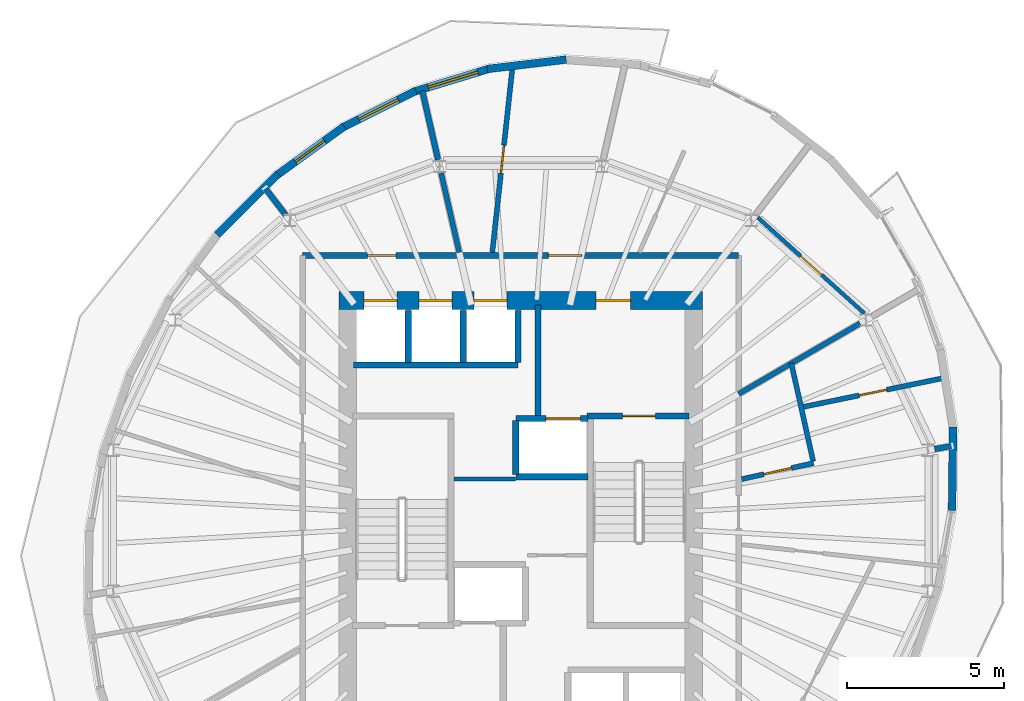
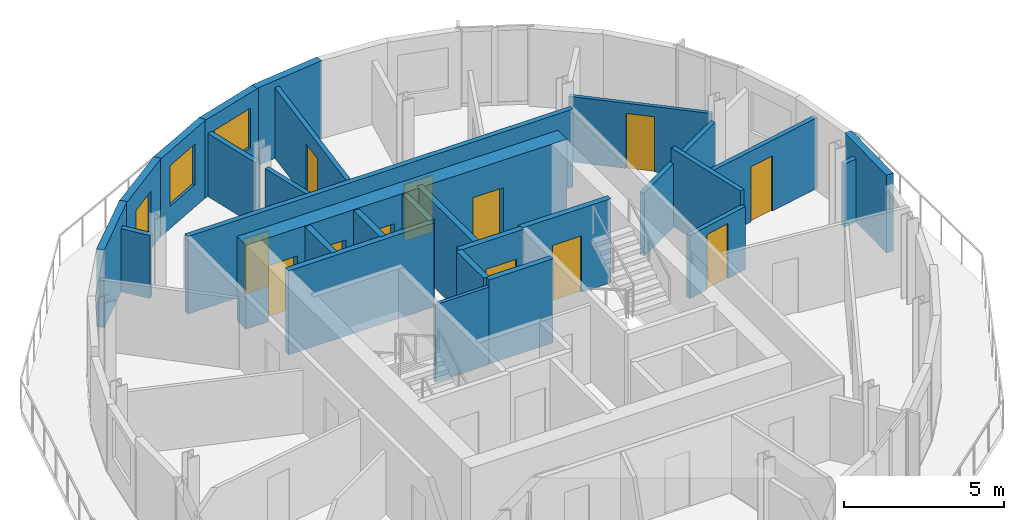
# One storey, part 6 of 9: 28 walls, 13 doors, 2 windows, 15 openings.
"""IFC4 building model written with IfcOpenShell, lengths in metres."""

import ifcopenshell
import ifcopenshell.guid

model = None  # the IFC model being written
_history = None  # IfcOwnerHistory: only IFC2X3 demands one
_inside = {}  # id of a spatial element -> (the spatial element, [elements in it])
_under = {}  # id of a project, library or spatial element -> (it, [spatial elements below it])
_declared = {}  # id of a project -> (the project, [libraries it declares])
_typed = {}  # id of a type object -> (the type object, [elements of that type])
_made_of = {}  # id of a material, layer set ... -> (it, [elements and type objects made of it])


def new_model(schema):
    """Start an empty IFC model of exactly this schema.

    Asked for "IFC4X3", IfcOpenShell would pick the latest addendum, in which some entities
    have other attributes; the version numbers below select the first issue.
    IFC2X3 requires an IfcOwnerHistory on every rooted entity: one is made here for all.
    """
    global model, _history
    if schema == "IFC4X3":
        model = ifcopenshell.file(schema_version=(4, 3, 0, 0))
    else:
        model = ifcopenshell.file(schema=schema)
    _inside.clear()
    _under.clear()
    _declared.clear()
    _typed.clear()
    _made_of.clear()
    _history = None
    if model.schema == "IFC2X3":
        org = make("IfcOrganization", Name="unknown")
        user = make(
            "IfcPersonAndOrganization",
            ThePerson=make("IfcPerson", FamilyName="unknown"),
            TheOrganization=org,
        )
        app = make(
            "IfcApplication",
            ApplicationDeveloper=org,
            Version="unknown",
            ApplicationFullName="unknown",
            ApplicationIdentifier="unknown",
        )
        _history = make(
            "IfcOwnerHistory",
            OwningUser=user,
            OwningApplication=app,
            ChangeAction="ADDED",
            CreationDate=0,
        )
    return model


def make(cls, **values):
    """One entity of the class cls with the attributes given. An attribute that is None is left unset."""
    return model.create_entity(
        cls, **{name: value for name, value in values.items() if value is not None}
    )


def rooted(cls, **values):
    """An entity with a GlobalId (a new one), such as an element, a storey or a relation."""
    return make(cls, GlobalId=ifcopenshell.guid.new(), OwnerHistory=_history, **values)


def si_unit(unit_type, name, prefix=None):
    """IfcSIUnit, for example si_unit("LENGTHUNIT", "METRE", prefix="MILLI")."""
    return make("IfcSIUnit", UnitType=unit_type, Prefix=prefix, Name=name)


def assignment(units):
    """IfcUnitAssignment: the units of a project."""
    return None if units is None else make("IfcUnitAssignment", Units=units)


def point(xyz):
    """IfcCartesianPoint."""
    return None if xyz is None else make("IfcCartesianPoint", Coordinates=xyz)


def direction(xyz):
    """IfcDirection."""
    return None if xyz is None else make("IfcDirection", DirectionRatios=xyz)


def frame(location, z_axis=None, x_axis=None):
    """IfcAxis2Placement3D, a coordinate frame: its origin and axes. An axis left out is left unset."""
    return make(
        "IfcAxis2Placement3D",
        Location=point(location),
        Axis=direction(z_axis),
        RefDirection=direction(x_axis),
    )


def frame_2d(location, x_axis=None):
    """IfcAxis2Placement2D, a coordinate frame in the plane: its origin and x axis."""
    return make(
        "IfcAxis2Placement2D", Location=point(location), RefDirection=direction(x_axis)
    )


def origin():
    """The frame at (0, 0, 0) with its axes left unset."""
    return frame((0.0, 0.0, 0.0))


def place(relative_to, where):
    """IfcLocalPlacement: puts the frame where relative to a parent placement (None: the world)."""
    return make(
        "IfcLocalPlacement", PlacementRelTo=relative_to, RelativePlacement=where
    )


def context(
    kind, dimensions, precision=None, world=None, true_north=None, identifier=None
):
    """IfcGeometricRepresentationContext, for example the 3D "Model" context."""
    return make(
        "IfcGeometricRepresentationContext",
        ContextIdentifier=identifier,
        ContextType=kind,
        CoordinateSpaceDimension=dimensions,
        Precision=precision,
        WorldCoordinateSystem=world,
        TrueNorth=true_north,
    )


def subcontext(parent, identifier, kind, view, scale=None):
    """IfcGeometricRepresentationSubContext, for example "Body" below "Model"."""
    return make(
        "IfcGeometricRepresentationSubContext",
        ContextIdentifier=identifier,
        ContextType=kind,
        ParentContext=parent,
        TargetScale=scale,
        TargetView=view,
    )


def project(units=None, contexts=None):
    """IfcProject with its units and contexts."""
    return rooted(
        "IfcProject",
        Name="project",
        RepresentationContexts=contexts,
        UnitsInContext=assignment(units),
    )


def spatial(cls, under=None, at=None, **own):
    """A site, building, storey or space (cls), placed at a placement, below another one or the project."""
    s = rooted(cls, ObjectPlacement=at, **own)
    if under is not None:
        _under.setdefault(under.id(), (under, []))[1].append(s)
    return s


def profile(cls, at=None, kind="AREA", **sizes):
    """A parametric profile (cls). Its sizes go by their IFC names, for example OverallWidth=200.0."""
    return make(cls, ProfileType=kind, Position=at, **sizes)


def rectangle(**sizes):
    """IfcRectangleProfileDef."""
    return profile("IfcRectangleProfileDef", **sizes)


def extrude(swept, where, along, depth):
    """IfcExtrudedAreaSolid: the profile swept, set in the frame where, extruded along a direction by depth."""
    return make(
        "IfcExtrudedAreaSolid",
        SweptArea=swept,
        Position=where,
        ExtrudedDirection=direction(along),
        Depth=depth,
    )


def shape(context_of_items, identifier, shape_type, items):
    """IfcShapeRepresentation: the items that make up one representation, for example the "Body"."""
    return make(
        "IfcShapeRepresentation",
        ContextOfItems=context_of_items,
        RepresentationIdentifier=identifier,
        RepresentationType=shape_type,
        Items=items,
    )


def material(Name=None, Category=None):
    """IfcMaterial."""
    return make("IfcMaterial", Name=Name, Category=Category)


def layer(
    of_material, thickness, ventilated=None, Name=None, Category=None, Priority=None
):
    """IfcMaterialLayer: one layer of a wall or slab, of a material (None: an air gap)."""
    return make(
        "IfcMaterialLayer",
        Material=of_material,
        LayerThickness=thickness,
        IsVentilated=ventilated,
        Name=Name,
        Category=Category,
        Priority=Priority,
    )


def layer_set(layers, Name=None):
    """IfcMaterialLayerSet."""
    return make("IfcMaterialLayerSet", MaterialLayers=layers, LayerSetName=Name)


def made_of(thing, what):
    """Note that an element or type object is made of a material, layer set ...; save() writes the relation."""
    if what is not None:
        _made_of.setdefault(what.id(), (what, []))[1].append(thing)
    return thing


def type_object(cls, material=None, **own):
    """A type object (cls), such as IfcWallType, which elements share."""
    return made_of(rooted(cls, **own), material)


def element(
    cls,
    number,
    at=None,
    inside=None,
    cuts=None,
    type_object=None,
    material=None,
    context=None,
    identifier="Body",
    shape_type=None,
    held_by="IfcProductDefinitionShape",
    body=None,
    shapes=None,
    **own,
):
    """One element of the class cls, such as IfcWall. Its Tag is "e" and its number.

    at: its placement. inside: the storey or other place that contains it. cuts: it is an
    opening in that element (IfcRelVoidsElement). A single representation is given by context,
    identifier, shape_type and body (its items); several are given by shapes. held_by: the class
    of the entity that holds the representations. save() writes the other relations.
    """
    e = rooted(cls, Tag="e%d" % number, ObjectPlacement=at, **own)
    if body is not None:
        shapes = [shape(context, identifier, shape_type, body)]
    if shapes is not None:
        e.Representation = make(held_by, Representations=shapes)
    if inside is not None:
        _inside.setdefault(inside.id(), (inside, []))[1].append(e)
    if cuts is not None:
        rooted(
            "IfcRelVoidsElement", RelatingBuildingElement=cuts, RelatedOpeningElement=e
        )
    if type_object is not None:
        _typed.setdefault(type_object.id(), (type_object, []))[1].append(e)
    return made_of(e, material)


def fill(opening, filler):
    """IfcRelFillsElement: the door or window that sits in an opening."""
    return rooted(
        "IfcRelFillsElement",
        RelatingOpeningElement=opening,
        RelatedBuildingElement=filler,
    )


def aggregate(whole, parts):
    """IfcRelAggregates: a whole, such as a stair, and the parts it consists of."""
    return rooted("IfcRelAggregates", RelatingObject=whole, RelatedObjects=parts)


def save(model, path):
    """Write the relations noted so far, then the file.

    IfcRelAggregates (storeys below a building ...), IfcRelContainedInSpatialStructure (elements
    in a storey), IfcRelDefinesByType, IfcRelAssociatesMaterial and IfcRelDeclares: one each for
    every whole, place, type object, material and project.
    """
    for whole, parts in _under.values():
        aggregate(whole, parts)
    for where, things in _inside.values():
        rooted(
            "IfcRelContainedInSpatialStructure",
            RelatedElements=things,
            RelatingStructure=where,
        )
    for kind, things in _typed.values():
        rooted("IfcRelDefinesByType", RelatedObjects=things, RelatingType=kind)
    for what, things in _made_of.values():
        rooted("IfcRelAssociatesMaterial", RelatedObjects=things, RelatingMaterial=what)
    for by, libraries in _declared.values():
        rooted("IfcRelDeclares", RelatingContext=by, RelatedDefinitions=libraries)
    model.write(path)


model = new_model("IFC4")

# Units and contexts
model_context = context("Model", 3, precision=1e-05, world=origin(), true_north=direction((0.0, 1.0)))
body_context = subcontext(model_context, "Body", "Model", "MODEL_VIEW")
ifc_project = project(units=[si_unit("LENGTHUNIT", "METRE"), si_unit("AREAUNIT", "SQUARE_METRE"), si_unit("VOLUMEUNIT", "CUBIC_METRE"), si_unit("PLANEANGLEUNIT", "RADIAN"), si_unit("MASSUNIT", "GRAM", prefix="KILO")], contexts=[model_context])

# Site, building, storey
site_placement = place(None, origin())
site = spatial("IfcSite", under=ifc_project, at=site_placement, CompositionType="ELEMENT")
building_placement = place(site_placement, origin())
building = spatial("IfcBuilding", under=site, at=building_placement, Name="Veldorim Arch Residences", CompositionType="ELEMENT")
storey_placement = place(building_placement, frame((0.0, 0.0, 230.239990234375)))
storey = spatial("IfcBuildingStorey", under=building, at=storey_placement, Name="L69", CompositionType="ELEMENT", Elevation=230.239990234375)

# Wall
ifc_material_1 = material(Name="Acoustic Gypsum Board", Category="gypsum")
ifc_layer_1 = layer(ifc_material_1, 0.125, Name="Acoustic Stud Room Partition Wall 125")
ifc_layer_set_1 = layer_set([ifc_layer_1], Name="Acoustic Gypsum Board")
wall_type_1 = type_object("IfcWallType", Name="Acoustic Stud Room Partition Wall 125", PredefinedType="PARTITIONING", material=ifc_layer_set_1)
wall_1_placement = place(storey_placement, frame((29.889892578125, 25.330078125, 0.0), z_axis=(0.0, 0.0, 1.0), x_axis=(1.0, 0.0, 0.0)))
element("IfcWall", 1, at=wall_1_placement, inside=storey, type_object=wall_type_1, Name="L69 interior wall WL-CA-L69-N", PredefinedType="PARTITIONING", context=body_context, shape_type="SweptSolid", body=[
    extrude(rectangle(XDim=1.940185546875, YDim=0.125, at=frame_2d((0.97021484375, 0.0))), origin(), (0.0, 0.0, 1.0), 2.955078125),
])

# Wall, opening, door
wall_2_placement = place(storey_placement, frame((39.541015625, 33.635009765625, 0.0), z_axis=(0.0, 0.0, 1.0), x_axis=(0.743640369197, -0.668579839137, 0.0)))
wall_2 = element("IfcWall", 2, at=wall_2_placement, inside=storey, type_object=wall_type_1, Name="L69 interior wall WL-RES-L69-021", PredefinedType="PARTITIONING", context=body_context, shape_type="SweptSolid", body=[
    extrude(rectangle(XDim=4.556884765625, YDim=0.125, at=frame_2d((2.2783203125, 0.0))), origin(), (0.0, 0.0, 1.0), 2.488037109375),
])
opening_1_placement = place(wall_2_placement, frame((1.82861328125, 0.0, 0.0)))
opening_1 = element("IfcOpeningElement", 3, at=opening_1_placement, cuts=wall_2, Name="Opening DR-INT", PredefinedType="OPENING", context=body_context, shape_type="SweptSolid", body=[
    extrude(rectangle(XDim=0.89990234375, YDim=2.10009765625, at=frame_2d((0.449951171875, 1.050048828125))), frame((0.0, 0.072509765625, 0.0), z_axis=(0.0, -1.0, 0.0), x_axis=(1.0, 0.0, 0.0)), (0.0, 0.0, 1.0), 0.14501953125),
])
ifc_material_2 = material(Name="Engineered Timber", Category="wood")
door_type_1 = type_object("IfcDoorType", Name="Apartment Internal Room Timber Door 900x2100", OperationType="SINGLE_SWING_LEFT", PredefinedType="DOOR", material=ifc_material_2)
door_1_placement = place(opening_1_placement, origin())
door_1 = element("IfcDoor", 4, at=door_1_placement, inside=storey, type_object=door_type_1, Name="L69 interior door DR-RES-L69-014", OperationType="SINGLE_SWING_RIGHT", OverallHeight=2.10009765625, OverallWidth=0.89990234375, PredefinedType="DOOR", context=body_context, shape_type="SweptSolid", body=[
    extrude(rectangle(XDim=0.89990234375, YDim=2.10009765625, at=frame_2d((0.449951171875, 1.050048828125))), frame((0.0, 0.02490234375, 0.0), z_axis=(0.0, -1.0, 0.0), x_axis=(1.0, 0.0, 0.0)), (0.0, 0.0, 1.0), 0.050048828125),
])
fill(opening_1, door_1)

# Walls
ifc_material_3 = material(Name="Lightweight Masonry Block & Gypsum", Category="masonry")
ifc_layer_2 = layer(ifc_material_3, 0.179931640625, Name="Compartment & Corridor Fire-Rated Party Wall 180")
ifc_layer_set_2 = layer_set([ifc_layer_2], Name="Lightweight Masonry Block & Gypsum")
wall_type_2 = type_object("IfcWallType", Name="Compartment & Corridor Fire-Rated Party Wall 180", PredefinedType="PARTITIONING", material=ifc_layer_set_2)
wall_3_placement = place(storey_placement, frame((45.16259765625, 26.277099609375, 0.0), z_axis=(0.0, 0.0, 1.0), x_axis=(0.985396448878, 0.170275772023, 0.0)))
element("IfcWall", 5, at=wall_3_placement, inside=storey, type_object=wall_type_2, Name="L69 interior wall WL-PIER-L69-01", PredefinedType="PARTITIONING", context=body_context, shape_type="SweptSolid", body=[
    extrude(rectangle(XDim=0.531982421875, YDim=0.179931640625, at=frame_2d((0.26611328125, 0.0))), origin(), (0.0, 0.0, 1.0), 2.4033203125),
])
wall_4_placement = place(storey_placement, frame((29.3759765625, 35.473388671875, 0.0), z_axis=(0.0, 0.0, 1.0), x_axis=(-0.223034234637, 0.974810612468, 0.0)))
element("IfcWall", 6, at=wall_4_placement, inside=storey, type_object=wall_type_2, Name="L69 interior wall WL-PIER-L69-05", PredefinedType="PARTITIONING", context=body_context, shape_type="SweptSolid", body=[
    extrude(rectangle(XDim=2.247314453125, YDim=0.179931640625, at=frame_2d((1.12353515625, 0.0))), origin(), (0.0, 0.0, 1.0), 2.4033203125),
])
wall_5_placement = place(storey_placement, frame((24.53271484375, 33.719482421875, 0.0), z_axis=(0.0, 0.0, 1.0), x_axis=(-0.609328843401, 0.792917625356, 0.0)))
element("IfcWall", 7, at=wall_5_placement, inside=storey, type_object=wall_type_2, Name="L69 interior wall WL-PIER-L69-06", PredefinedType="PARTITIONING", context=body_context, shape_type="SweptSolid", body=[
    extrude(rectangle(XDim=1.050537109375, YDim=0.179931640625, at=frame_2d((0.525390625, 0.0))), origin(), (0.0, 0.0, 1.0), 2.4033203125),
])

# Wall, openings, doors
wall_6_placement = place(storey_placement, frame((25.070068359375, 32.429931640625, 0.0), z_axis=(0.0, 0.0, 1.0), x_axis=(1.0, 0.0, 0.0)))
wall_6 = element("IfcWall", 8, at=wall_6_placement, inside=storey, type_object=wall_type_2, Name="L69 interior wall WL-RES-L69-004", PredefinedType="PARTITIONING", context=body_context, shape_type="SweptSolid", body=[
    extrude(rectangle(XDim=13.85986328125, YDim=0.179931640625, at=frame_2d((6.929931640625, 0.0))), origin(), (0.0, 0.0, 1.0), 2.955078125),
])
opening_2_placement = place(wall_6_placement, frame((7.816162109375, 0.0, 0.0)))
opening_2 = element("IfcOpeningElement", 9, at=opening_2_placement, cuts=wall_6, Name="Opening DR-FLT", PredefinedType="OPENING", context=body_context, shape_type="SweptSolid", body=[
    extrude(rectangle(XDim=1.050048828125, YDim=2.14990234375, at=frame_2d((0.52490234375, 1.074951171875))), frame((0.0, 0.099853515625, 0.0), z_axis=(0.0, -1.0, 0.0), x_axis=(1.0, 0.0, 0.0)), (0.0, 0.0, 1.0), 0.199951171875),
])
opening_3_placement = place(wall_6_placement, frame((2.06103515625, 0.0, 0.0)))
opening_3 = element("IfcOpeningElement", 10, at=opening_3_placement, cuts=wall_6, Name="Opening DR-INT", PredefinedType="OPENING", context=body_context, shape_type="SweptSolid", body=[
    extrude(rectangle(XDim=0.89990234375, YDim=2.10009765625, at=frame_2d((0.449951171875, 1.050048828125))), frame((0.0, 0.099853515625, 0.0), z_axis=(0.0, -1.0, 0.0), x_axis=(1.0, 0.0, 0.0)), (0.0, 0.0, 1.0), 0.199951171875),
])
ifc_material_4 = material(Name="Fire-Rated Timber", Category="wood")
door_type_2 = type_object("IfcDoorType", Name="Apartment Entrance Solid-Core Fire Door 1050x2150", OperationType="SINGLE_SWING_LEFT", PredefinedType="DOOR", material=ifc_material_4)
door_2_placement = place(opening_2_placement, origin())
door_2 = element("IfcDoor", 11, at=door_2_placement, inside=storey, type_object=door_type_2, Name="L69 interior door DR-RES-L69-011", OperationType="SINGLE_SWING_LEFT", OverallHeight=2.14990234375, OverallWidth=1.050048828125, PredefinedType="DOOR", context=body_context, shape_type="SweptSolid", body=[
    extrude(rectangle(XDim=1.050048828125, YDim=2.14990234375, at=frame_2d((0.52490234375, 1.074951171875))), frame((0.0, 0.02490234375, 0.0), z_axis=(0.0, -1.0, 0.0), x_axis=(1.0, 0.0, 0.0)), (0.0, 0.0, 1.0), 0.050048828125),
])
fill(opening_2, door_2)
door_3_placement = place(opening_3_placement, origin())
door_3 = element("IfcDoor", 12, at=door_3_placement, inside=storey, type_object=door_type_1, Name="L69 interior door DR-RES-L69-017", OperationType="SINGLE_SWING_LEFT", OverallHeight=2.10009765625, OverallWidth=0.89990234375, PredefinedType="DOOR", context=body_context, shape_type="SweptSolid", body=[
    extrude(rectangle(XDim=0.89990234375, YDim=2.10009765625, at=frame_2d((0.449951171875, 1.050048828125))), frame((0.0, 0.02490234375, 0.0), z_axis=(0.0, -1.0, 0.0), x_axis=(1.0, 0.0, 0.0)), (0.0, 0.0, 1.0), 0.050048828125),
])
fill(opening_3, door_3)

# Wall, opening, door
ifc_material_5 = material(Name="Concrete C50/60", Category="concrete")
ifc_layer_3 = layer(ifc_material_5, 0.199951171875, Name="Core Stair & Lift Shaft Enclosure Wall 200")
ifc_layer_set_3 = layer_set([ifc_layer_3], Name="Concrete C50/60")
wall_type_3 = type_object("IfcWallType", Name="Core Stair & Lift Shaft Enclosure Wall 200", PredefinedType="SHEAR", material=ifc_layer_set_3)
wall_7_placement = place(storey_placement, frame((34.110107421875, 27.330078125, 0.0), z_axis=(0.0, 0.0, 1.0), x_axis=(1.0, 0.0, 0.0)))
wall_7 = element("IfcWall", 13, at=wall_7_placement, inside=storey, type_object=wall_type_3, Name="L69 shaft wall WL-SHF-L69-ST2-N", PredefinedType="SHEAR", context=body_context, shape_type="SweptSolid", body=[
    extrude(rectangle(XDim=3.239990234375, YDim=0.199951171875, at=frame_2d((1.6201171875, 0.0))), origin(), (0.0, 0.0, 1.0), 3.199951171875),
])
opening_4_placement = place(wall_7_placement, frame((1.135009765625, 0.0, 0.0)))
opening_4 = element("IfcOpeningElement", 14, at=opening_4_placement, cuts=wall_7, Name="Opening DR-ST", PredefinedType="OPENING", context=body_context, shape_type="SweptSolid", body=[
    extrude(rectangle(XDim=1.050048828125, YDim=2.14990234375, at=frame_2d((0.52490234375, 1.074951171875))), frame((0.0, 0.10986328125, 0.0), z_axis=(0.0, -1.0, 0.0), x_axis=(1.0, 0.0, 0.0)), (0.0, 0.0, 1.0), 0.219970703125),
])
ifc_material_6 = material(Name="Fire-Rated Steel", Category="steel")
door_type_3 = type_object("IfcDoorType", Name="Exit Staircase Self-Closing Fire Door 1050x2150", OperationType="SINGLE_SWING_LEFT", PredefinedType="DOOR", material=ifc_material_6)
door_4_placement = place(opening_4_placement, origin())
door_4 = element("IfcDoor", 15, at=door_4_placement, inside=storey, type_object=door_type_3, Name="L69 interior door DR-L69-ST2", OperationType="SINGLE_SWING_RIGHT", OverallHeight=2.14990234375, OverallWidth=1.050048828125, PredefinedType="DOOR", context=body_context, shape_type="SweptSolid", body=[
    extrude(rectangle(XDim=1.050048828125, YDim=2.14990234375, at=frame_2d((0.52490234375, 1.074951171875))), frame((0.0, 0.02490234375, 0.0), z_axis=(0.0, -1.0, 0.0), x_axis=(1.0, 0.0, 0.0)), (0.0, 0.0, 1.0), 0.050048828125),
])
fill(opening_4, door_4)

# Wall
wall_8_placement = place(storey_placement, frame((32.550048828125, 27.35009765625, 0.0), z_axis=(0.0, 0.0, 1.0), x_axis=(0.0, 1.0, 0.0)))
element("IfcWall", 16, at=wall_8_placement, inside=storey, type_object=wall_type_3, Name="L69 shaft wall WL-FFL2-L69-W", PredefinedType="SHEAR", context=body_context, shape_type="SweptSolid", body=[
    extrude(rectangle(XDim=3.5, YDim=0.199951171875, at=frame_2d((1.75, 0.0))), origin(), (0.0, 0.0, 1.0), 3.199951171875),
])

# Wall, opening, door
wall_9_placement = place(storey_placement, frame((31.85009765625, 27.25, 0.0), z_axis=(0.0, 0.0, 1.0), x_axis=(1.0, 0.0, 0.0)))
wall_9 = element("IfcWall", 17, at=wall_9_placement, inside=storey, type_object=wall_type_3, Name="L69 shaft wall WL-FL02-L69-N", PredefinedType="SHEAR", context=body_context, shape_type="SweptSolid", body=[
    extrude(rectangle(XDim=2.2998046875, YDim=0.199951171875, at=frame_2d((1.14990234375, 0.0))), origin(), (0.0, 0.0, 1.0), 3.199951171875),
])
opening_5_placement = place(wall_9_placement, frame((0.949951171875, 0.0, 0.0)))
opening_5 = element("IfcOpeningElement", 18, at=opening_5_placement, cuts=wall_9, Name="Opening LD-FF", PredefinedType="OPENING", context=body_context, shape_type="SweptSolid", body=[
    extrude(rectangle(XDim=1.10009765625, YDim=2.14990234375, at=frame_2d((0.550048828125, 1.074951171875))), frame((0.0, 0.10986328125, 0.0), z_axis=(0.0, -1.0, 0.0), x_axis=(1.0, 0.0, 0.0)), (0.0, 0.0, 1.0), 0.219970703125),
])
ifc_material_7 = material(Name="Stainless Steel", Category="steel")
door_type_4 = type_object("IfcDoorType", Name="Firefighting Lift Bi-Parting Sliding Landing Door 1100x2150", OperationType="DOUBLE_DOOR_SLIDING", PredefinedType="DOOR", material=ifc_material_7)
door_5_placement = place(opening_5_placement, origin())
door_5 = element("IfcDoor", 19, at=door_5_placement, inside=storey, type_object=door_type_4, Name="L69 lift landing door LD-L69-FL02", OperationType="DOUBLE_DOOR_SLIDING", OverallHeight=2.14990234375, OverallWidth=1.10009765625, PredefinedType="DOOR", context=body_context, shape_type="SweptSolid", body=[
    extrude(rectangle(XDim=1.10009765625, YDim=2.14990234375, at=frame_2d((0.550048828125, 1.074951171875))), frame((0.0, 0.02490234375, 0.0), z_axis=(0.0, -1.0, 0.0), x_axis=(1.0, 0.0, 0.0)), (0.0, 0.0, 1.0), 0.050048828125),
])
fill(opening_5, door_5)

# Walls
wall_10_placement = place(storey_placement, frame((31.85009765625, 25.39990234375, 0.0), z_axis=(0.0, 0.0, 1.0), x_axis=(1.0, 0.0, 0.0)))
element("IfcWall", 20, at=wall_10_placement, inside=storey, type_object=wall_type_3, Name="L69 shaft wall WL-FL02-L69-S", PredefinedType="SHEAR", context=body_context, shape_type="SweptSolid", body=[
    extrude(rectangle(XDim=2.2998046875, YDim=0.199951171875, at=frame_2d((1.14990234375, 0.0))), origin(), (0.0, 0.0, 1.0), 3.199951171875),
])
wall_11_placement = place(storey_placement, frame((31.85009765625, 25.469970703125, 0.0), z_axis=(0.0, 0.0, 1.0), x_axis=(0.0, 1.0, 0.0)))
element("IfcWall", 21, at=wall_11_placement, inside=storey, type_object=wall_type_3, Name="L69 shaft wall WL-FL02-L69-W", PredefinedType="SHEAR", context=body_context, shape_type="SweptSolid", body=[
    extrude(rectangle(XDim=1.7099609375, YDim=0.199951171875, at=frame_2d((0.85498046875, 0.0))), origin(), (0.0, 0.0, 1.0), 3.199951171875),
])
wall_12_placement = place(storey_placement, frame((26.679931640625, 28.949951171875, 0.0), z_axis=(0.0, 0.0, 1.0), x_axis=(1.0, 0.0, 0.0)))
element("IfcWall", 22, at=wall_12_placement, inside=storey, type_object=wall_type_3, Name="L69 shaft wall WL-B3-L69-S", PredefinedType="SHEAR", context=body_context, shape_type="SweptSolid", body=[
    extrude(rectangle(XDim=5.239990234375, YDim=0.199951171875, at=frame_2d((2.6201171875, 0.0))), origin(), (0.0, 0.0, 1.0), 3.199951171875),
])
for number, where, z_axis, x_axis, name in (
    (23, (31.919921875, 29.02001953125, 0.0), (0.0, 0.0, 1.0), (0.0, 1.0, 0.0), "L69 shaft wall WL-B3-L69-E"),
    (24, (28.425048828125, 29.02001953125, 0.0), (0.0, 0.0, 1.0), (0.0, 1.0, 0.0), "L69 shaft wall WL-B3-L69-D1"),
    (25, (30.175048828125, 29.02001953125, 0.0), (0.0, 0.0, 1.0), (0.0, 1.0, 0.0), "L69 shaft wall WL-B3-L69-D2"),
):
    element("IfcWall", number, at=place(storey_placement, frame(where, z_axis=z_axis, x_axis=x_axis)), inside=storey, type_object=wall_type_3, Name=name, PredefinedType="SHEAR", context=body_context, shape_type="SweptSolid", body=[
        extrude(rectangle(XDim=1.659912109375, YDim=0.199951171875, at=frame_2d((0.830078125, 0.0))), origin(), (0.0, 0.0, 1.0), 3.199951171875),
    ])
ifc_material_8 = material(Name="Precast concrete C40/50", Category="concrete")
ifc_layer_4 = layer(ifc_material_8, 0.25, Name="Tower Terracotta Spandrel & Pier Wall 250")
ifc_layer_set_4 = layer_set([ifc_layer_4], Name="Precast concrete C40/50")
wall_type_4 = type_object("IfcWallType", Name="Tower Terracotta Spandrel & Pier Wall 250", PredefinedType="SOLIDWALL", material=ifc_layer_set_4)
wall_13_placement = place(storey_placement, frame((30.938232421875, 38.36083984375, 0.0), z_axis=(0.0, 0.0, 1.0), x_axis=(0.992953737746, 0.118502635821, 0.0)))
element("IfcWall", 26, at=wall_13_placement, inside=storey, type_object=wall_type_4, Name="L69 terracotta facade wall 04", PredefinedType="SOLIDWALL", context=body_context, shape_type="SweptSolid", body=[
    extrude(rectangle(XDim=2.531982421875, YDim=0.25, at=frame_2d((1.26611328125, 0.0))), origin(), (0.0, 0.0, 1.0), 2.9599609375),
])

# Wall, opening, window
wall_14_placement = place(storey_placement, frame((28.568115234375, 37.6279296875, 0.0), z_axis=(0.0, 0.0, 1.0), x_axis=(0.956515193001, 0.291682508145, 0.0)))
wall_14 = element("IfcWall", 27, at=wall_14_placement, inside=storey, type_object=wall_type_4, Name="L69 terracotta facade wall 05", PredefinedType="SOLIDWALL", context=body_context, shape_type="SweptSolid", body=[
    extrude(rectangle(XDim=2.59228515625, YDim=0.25, at=frame_2d((1.296142578125, 0.0))), origin(), (0.0, 0.0, 1.0), 2.9599609375),
])
opening_6_placement = place(wall_14_placement, frame((0.512939453125, 0.0, 0.85009765625)))
opening_6 = element("IfcOpeningElement", 28, at=opening_6_placement, cuts=wall_14, Name="Opening WN-03", PredefinedType="OPENING", context=body_context, shape_type="SweptSolid", body=[
    extrude(rectangle(XDim=1.64990234375, YDim=1.52001953125, at=frame_2d((0.824951171875, 0.760009765625))), frame((0.0, 0.135009765625, 0.0), z_axis=(0.0, -1.0, 0.0), x_axis=(1.0, 0.0, 0.0)), (0.0, 0.0, 1.0), 0.27001953125),
])
ifc_material_9 = material(Name="Laminated Low-E Glass", Category="glass")
window_type_1 = type_object("IfcWindowType", Name="Residential Wide Window 1650x1550", PartitioningType="SINGLE_PANEL", PredefinedType="WINDOW", material=ifc_material_9)
window_1_placement = place(opening_6_placement, origin())
window_1 = element("IfcWindow", 29, at=window_1_placement, inside=storey, type_object=window_type_1, Name="L69 solar-control facade window 05", OverallHeight=1.52001953125, OverallWidth=1.64990234375, PartitioningType="SINGLE_PANEL", PredefinedType="WINDOW", context=body_context, shape_type="SweptSolid", body=[
    extrude(rectangle(XDim=1.64990234375, YDim=1.52001953125, at=frame_2d((0.824951171875, 0.760009765625))), frame((0.0, 0.030029296875, 0.0), z_axis=(0.0, -1.0, 0.0), x_axis=(1.0, 0.0, 0.0)), (0.0, 0.0, 1.0), 0.06005859375),
])
fill(opening_6, window_1)

wall_15_placement = place(storey_placement, frame((26.30126953125, 36.48095703125, 0.0), z_axis=(0.0, 0.0, 1.0), x_axis=(0.893929345503, 0.448207904045, 0.0)))
wall_15 = element("IfcWall", 30, at=wall_15_placement, inside=storey, type_object=wall_type_4, Name="L69 terracotta facade wall 06", PredefinedType="SOLIDWALL", context=body_context, shape_type="SweptSolid", body=[
    extrude(rectangle(XDim=2.651123046875, YDim=0.25, at=frame_2d((1.32568359375, 0.0))), origin(), (0.0, 0.0, 1.0), 2.9599609375),
])
opening_7_placement = place(wall_15_placement, frame((0.6259765625, 0.0, 0.85009765625)))
opening_7 = element("IfcOpeningElement", 31, at=opening_7_placement, cuts=wall_15, Name="Opening WN-02", PredefinedType="OPENING", context=body_context, shape_type="SweptSolid", body=[
    extrude(rectangle(XDim=1.39990234375, YDim=1.550048828125, at=frame_2d((0.699951171875, 0.77490234375))), frame((0.0, 0.135009765625, 0.0), z_axis=(0.0, -1.0, 0.0), x_axis=(1.0, 0.0, 0.0)), (0.0, 0.0, 1.0), 0.27001953125),
])
ifc_material_10 = material(Name="Laminated Low-E Glass", Category="glass")
window_type_2 = type_object("IfcWindowType", Name="Residential Casement Window 1400x1550", PartitioningType="SINGLE_PANEL", PredefinedType="WINDOW", material=ifc_material_10)
window_2_placement = place(opening_7_placement, origin())
window_2 = element("IfcWindow", 32, at=window_2_placement, inside=storey, type_object=window_type_2, Name="L69 solar-control facade window 06", OverallHeight=1.550048828125, OverallWidth=1.39990234375, PartitioningType="SINGLE_PANEL", PredefinedType="WINDOW", context=body_context, shape_type="SweptSolid", body=[
    extrude(rectangle(XDim=1.39990234375, YDim=1.550048828125, at=frame_2d((0.699951171875, 0.77490234375))), frame((0.0, 0.030029296875, 0.0), z_axis=(0.0, -1.0, 0.0), x_axis=(1.0, 0.0, 0.0)), (0.0, 0.0, 1.0), 0.06005859375),
])
fill(opening_7, window_2)

# Wall, opening, door
wall_16_placement = place(storey_placement, frame((24.206298828125, 34.954345703125, 0.0), z_axis=(0.0, 0.0, 1.0), x_axis=(0.810152271105, 0.586219496113, 0.0)))
wall_16 = element("IfcWall", 33, at=wall_16_placement, inside=storey, type_object=wall_type_4, Name="L69 terracotta facade wall 07", PredefinedType="SOLIDWALL", context=body_context, shape_type="SweptSolid", body=[
    extrude(rectangle(XDim=2.70166015625, YDim=0.25, at=frame_2d((1.350830078125, 0.0))), origin(), (0.0, 0.0, 1.0), 2.9599609375),
])
opening_8_placement = place(wall_16_placement, frame((0.77587890625, 0.0, 0.0)))
opening_8 = element("IfcOpeningElement", 34, at=opening_8_placement, cuts=wall_16, Name="Opening BL-DR", PredefinedType="OPENING", context=body_context, shape_type="SweptSolid", body=[
    extrude(rectangle(XDim=1.14990234375, YDim=2.199951171875, at=frame_2d((0.574951171875, 1.10009765625))), frame((0.0, 0.135009765625, 0.0), z_axis=(0.0, -1.0, 0.0), x_axis=(1.0, 0.0, 0.0)), (0.0, 0.0, 1.0), 0.27001953125),
])
ifc_material_11 = material(Name="Aluminium & Low-E Glass", Category="aluminium")
door_type_5 = type_object("IfcDoorType", Name="Glazed Planted Balcony Door 1150x2200", OperationType="SINGLE_SWING_LEFT", PredefinedType="DOOR", material=ifc_material_11)
door_6_placement = place(opening_8_placement, origin())
door_6 = element("IfcDoor", 35, at=door_6_placement, inside=storey, type_object=door_type_5, Name="L69 glazed outdoor terrace door BALC-1", OperationType="SINGLE_SWING_LEFT", OverallHeight=2.199951171875, OverallWidth=1.14990234375, PredefinedType="DOOR", context=body_context, shape_type="SweptSolid", body=[
    extrude(rectangle(XDim=1.14990234375, YDim=2.199951171875, at=frame_2d((0.574951171875, 1.10009765625))), frame((0.0, 0.02490234375, 0.0), z_axis=(0.0, -1.0, 0.0), x_axis=(1.0, 0.0, 0.0)), (0.0, 0.0, 1.0), 0.050048828125),
])
fill(opening_8, door_6)

# Walls
wall_17_placement = place(storey_placement, frame((22.347900390625, 33.09375, 0.0), z_axis=(0.0, 0.0, 1.0), x_axis=(0.709065267838, 0.705142854991, 0.0)))
element("IfcWall", 36, at=wall_17_placement, inside=storey, type_object=wall_type_4, Name="L69 terracotta facade wall 08", PredefinedType="SOLIDWALL", context=body_context, shape_type="SweptSolid", body=[
    extrude(rectangle(XDim=2.73876953125, YDim=0.25, at=frame_2d((1.369384765625, 0.0))), origin(), (0.0, 0.0, 1.0), 2.9599609375),
])
wall_18_placement = place(storey_placement, frame((45.749267578125, 26.980712890625, 0.0), z_axis=(0.0, 0.0, 1.0), x_axis=(-0.01234132771, -0.999923842915, 0.0)))
element("IfcWall", 37, at=wall_18_placement, inside=storey, type_object=wall_type_4, Name="L69 terracotta facade wall 31", PredefinedType="SOLIDWALL", context=body_context, shape_type="SweptSolid", body=[
    extrude(rectangle(XDim=2.65087890625, YDim=0.25, at=frame_2d((1.325439453125, 0.0))), origin(), (0.0, 0.0, 1.0), 2.9599609375),
])

# Wall, openings, doors
ifc_material_12 = material(Name="Concrete C50/60", Category="concrete")
ifc_layer_5 = layer(ifc_material_12, 0.5, Name="Upper Central Core Shear Wall 560")
ifc_layer_set_5 = layer_set([ifc_layer_5], Name="Concrete C50/60")
wall_type_5 = type_object("IfcWallType", Name="Upper Central Core Shear Wall 560", PredefinedType="SHEAR", material=ifc_layer_set_5)
wall_19_placement = place(storey_placement, frame((26.219970703125, 31.0, 0.0), z_axis=(0.0, 0.0, 1.0), x_axis=(1.0, 0.0, 0.0)))
wall_19 = element("IfcWall", 38, at=wall_19_placement, inside=storey, type_object=wall_type_5, Name="L69 central core north shear wall", PredefinedType="SHEAR", context=body_context, shape_type="SweptSolid", body=[
    extrude(rectangle(XDim=11.56005859375, YDim=0.56005859375, at=frame_2d((5.780029296875, 0.0))), origin(), (0.0, 0.0, 1.0), 3.199951171875),
])
opening_9_placement = place(wall_19_placement, frame((8.179931640625, 0.0, 0.0)))
opening_9 = element("IfcOpeningElement", 39, at=opening_9_placement, cuts=wall_19, Name="Opening DR-FFL", PredefinedType="OPENING", context=body_context, shape_type="SweptSolid", body=[
    extrude(rectangle(XDim=1.10009765625, YDim=2.14990234375, at=frame_2d((0.550048828125, 1.074951171875))), frame((0.0, 0.2900390625, 0.0), z_axis=(0.0, -1.0, 0.0), x_axis=(1.0, 0.0, 0.0)), (0.0, 0.0, 1.0), 0.580078125),
])
opening_10_placement = place(wall_19_placement, frame((0.804931640625, 0.0, 0.0)))
opening_10 = element("IfcOpeningElement", 40, at=opening_10_placement, cuts=wall_19, Name="Opening LD-PS", PredefinedType="OPENING", context=body_context, shape_type="SweptSolid", body=[
    extrude(rectangle(XDim=1.050048828125, YDim=2.14990234375, at=frame_2d((0.52490234375, 1.074951171875))), frame((0.0, 0.2900390625, 0.0), z_axis=(0.0, -1.0, 0.0), x_axis=(1.0, 0.0, 0.0)), (0.0, 0.0, 1.0), 0.580078125),
])
opening_11_placement = place(wall_19_placement, frame((2.554931640625, 0.0, 0.0)))
opening_11 = element("IfcOpeningElement", 41, at=opening_11_placement, cuts=wall_19, Name="Opening LD-PS", PredefinedType="OPENING", context=body_context, shape_type="SweptSolid", body=[
    extrude(rectangle(XDim=1.050048828125, YDim=2.14990234375, at=frame_2d((0.52490234375, 1.074951171875))), frame((0.0, 0.2900390625, 0.0), z_axis=(0.0, -1.0, 0.0), x_axis=(1.0, 0.0, 0.0)), (0.0, 0.0, 1.0), 0.580078125),
])
opening_12_placement = place(wall_19_placement, frame((4.304931640625, 0.0, 0.0)))
opening_12 = element("IfcOpeningElement", 42, at=opening_12_placement, cuts=wall_19, Name="Opening LD-PS", PredefinedType="OPENING", context=body_context, shape_type="SweptSolid", body=[
    extrude(rectangle(XDim=1.050048828125, YDim=2.14990234375, at=frame_2d((0.52490234375, 1.074951171875))), frame((0.0, 0.2900390625, 0.0), z_axis=(0.0, -1.0, 0.0), x_axis=(1.0, 0.0, 0.0)), (0.0, 0.0, 1.0), 0.580078125),
])
ifc_material_13 = material(Name="Fire-Rated Steel & Vision Glass", Category="steel")
door_type_6 = type_object("IfcDoorType", Name="Firefighting Lobby Smoke-Stop Fire Door 1100x2150", OperationType="SINGLE_SWING_LEFT", PredefinedType="DOOR", material=ifc_material_13)
door_7_placement = place(opening_9_placement, origin())
door_7 = element("IfcDoor", 43, at=door_7_placement, inside=storey, type_object=door_type_6, Name="L69 interior door DR-L69-FFL2", OperationType="SINGLE_SWING_LEFT", OverallHeight=2.14990234375, OverallWidth=1.10009765625, PredefinedType="DOOR", context=body_context, shape_type="SweptSolid", body=[
    extrude(rectangle(XDim=1.10009765625, YDim=2.14990234375, at=frame_2d((0.550048828125, 1.074951171875))), frame((0.0, 0.02490234375, 0.0), z_axis=(0.0, -1.0, 0.0), x_axis=(1.0, 0.0, 0.0)), (0.0, 0.0, 1.0), 0.050048828125),
])
fill(opening_9, door_7)
ifc_material_14 = material(Name="Stainless Steel", Category="steel")
door_type_7 = type_object("IfcDoorType", Name="Passenger Lift Bi-Parting Sliding Landing Door 1050x2150", OperationType="DOUBLE_DOOR_SLIDING", PredefinedType="DOOR", material=ifc_material_14)
door_8_placement = place(opening_10_placement, origin())
door_8 = element("IfcDoor", 44, at=door_8_placement, inside=storey, type_object=door_type_7, Name="L69 lift landing door LD-L69-PL-08", OperationType="DOUBLE_DOOR_SLIDING", OverallHeight=2.14990234375, OverallWidth=1.050048828125, PredefinedType="DOOR", context=body_context, shape_type="SweptSolid", body=[
    extrude(rectangle(XDim=1.050048828125, YDim=2.14990234375, at=frame_2d((0.52490234375, 1.074951171875))), frame((0.0, 0.02490234375, 0.0), z_axis=(0.0, -1.0, 0.0), x_axis=(1.0, 0.0, 0.0)), (0.0, 0.0, 1.0), 0.050048828125),
])
fill(opening_10, door_8)
door_9_placement = place(opening_11_placement, origin())
door_9 = element("IfcDoor", 45, at=door_9_placement, inside=storey, type_object=door_type_7, Name="L69 lift landing door LD-L69-PL-09", OperationType="DOUBLE_DOOR_SLIDING", OverallHeight=2.14990234375, OverallWidth=1.050048828125, PredefinedType="DOOR", context=body_context, shape_type="SweptSolid", body=[
    extrude(rectangle(XDim=1.050048828125, YDim=2.14990234375, at=frame_2d((0.52490234375, 1.074951171875))), frame((0.0, 0.02490234375, 0.0), z_axis=(0.0, -1.0, 0.0), x_axis=(1.0, 0.0, 0.0)), (0.0, 0.0, 1.0), 0.050048828125),
])
fill(opening_11, door_9)
door_10_placement = place(opening_12_placement, origin())
door_10 = element("IfcDoor", 46, at=door_10_placement, inside=storey, type_object=door_type_7, Name="L69 lift landing door LD-L69-PL-10", OperationType="DOUBLE_DOOR_SLIDING", OverallHeight=2.14990234375, OverallWidth=1.050048828125, PredefinedType="DOOR", context=body_context, shape_type="SweptSolid", body=[
    extrude(rectangle(XDim=1.050048828125, YDim=2.14990234375, at=frame_2d((0.52490234375, 1.074951171875))), frame((0.0, 0.02490234375, 0.0), z_axis=(0.0, -1.0, 0.0), x_axis=(1.0, 0.0, 0.0)), (0.0, 0.0, 1.0), 0.050048828125),
])
fill(opening_12, door_10)

# Wall, opening, door
ifc_material_15 = material(Name="Moisture-Resistant Gypsum & Stud", Category="gypsum")
ifc_layer_6 = layer(ifc_material_15, 0.159912109375, Name="Wet-Area Moisture-Resistant Plumbing Wall 160")
ifc_layer_set_6 = layer_set([ifc_layer_6], Name="Moisture-Resistant Gypsum & Stud")
wall_type_6 = type_object("IfcWallType", Name="Wet-Area Moisture-Resistant Plumbing Wall 160", PredefinedType="PLUMBINGWALL", material=ifc_layer_set_6)
wall_20_placement = place(storey_placement, frame((40.918212890625, 27.6025390625, 0.0), z_axis=(0.0, 0.0, 1.0), x_axis=(0.979505450232, 0.20141765803, 0.0)))
wall_20 = element("IfcWall", 47, at=wall_20_placement, inside=storey, type_object=wall_type_6, Name="L69 interior wall WL-RES-L69-012", PredefinedType="PLUMBINGWALL", context=body_context, shape_type="SweptSolid", body=[
    extrude(rectangle(XDim=4.65576171875, YDim=0.159912109375, at=frame_2d((2.327880859375, 0.0))), origin(), (0.0, 0.0, 1.0), 2.69189453125),
])
opening_13_placement = place(wall_20_placement, frame((1.8779296875, 0.0, 0.0)))
opening_13 = element("IfcOpeningElement", 48, at=opening_13_placement, cuts=wall_20, Name="Opening DR-WC", PredefinedType="OPENING", context=body_context, shape_type="SweptSolid", body=[
    extrude(rectangle(XDim=0.89990234375, YDim=2.10009765625, at=frame_2d((0.449951171875, 1.050048828125))), frame((0.0, 0.08984375, 0.0), z_axis=(0.0, -1.0, 0.0), x_axis=(1.0, 0.0, 0.0)), (0.0, 0.0, 1.0), 0.179931640625),
])
ifc_material_16 = material(Name="Laminate Timber", Category="wood")
door_type_8 = type_object("IfcDoorType", Name="Bathroom & Accessible WC Moisture-Sealed Door 900x2100", OperationType="SINGLE_SWING_LEFT", PredefinedType="DOOR", material=ifc_material_16)
door_11_placement = place(opening_13_placement, origin())
door_11 = element("IfcDoor", 49, at=door_11_placement, inside=storey, type_object=door_type_8, Name="L69 interior door DR-RES-L69-007", OperationType="SINGLE_SWING_LEFT", OverallHeight=2.10009765625, OverallWidth=0.89990234375, PredefinedType="DOOR", context=body_context, shape_type="SweptSolid", body=[
    extrude(rectangle(XDim=0.89990234375, YDim=2.10009765625, at=frame_2d((0.449951171875, 1.050048828125))), frame((0.0, 0.02490234375, 0.0), z_axis=(0.0, -1.0, 0.0), x_axis=(1.0, 0.0, 0.0)), (0.0, 0.0, 1.0), 0.050048828125),
])
fill(opening_13, door_11)

wall_21_placement = place(storey_placement, frame((39.027587890625, 25.3193359375, 0.0), z_axis=(0.0, 0.0, 1.0), x_axis=(0.976012638435, 0.217713870976, 0.0)))
wall_21 = element("IfcWall", 50, at=wall_21_placement, inside=storey, type_object=wall_type_6, Name="L69 interior wall WL-RES-L69-014", PredefinedType="PLUMBINGWALL", context=body_context, shape_type="SweptSolid", body=[
    extrude(rectangle(XDim=2.342529296875, YDim=0.159912109375, at=frame_2d((1.17138671875, 0.0))), origin(), (0.0, 0.0, 1.0), 2.4033203125),
])
opening_14_placement = place(wall_21_placement, frame((0.72119140625, 0.0, 0.0)))
opening_14 = element("IfcOpeningElement", 51, at=opening_14_placement, cuts=wall_21, Name="Opening DR-INT", PredefinedType="OPENING", context=body_context, shape_type="SweptSolid", body=[
    extrude(rectangle(XDim=0.89990234375, YDim=2.10009765625, at=frame_2d((0.449951171875, 1.050048828125))), frame((0.0, 0.08984375, 0.0), z_axis=(0.0, -1.0, 0.0), x_axis=(1.0, 0.0, 0.0)), (0.0, 0.0, 1.0), 0.179931640625),
])
door_12_placement = place(opening_14_placement, origin())
door_12 = element("IfcDoor", 52, at=door_12_placement, inside=storey, type_object=door_type_1, Name="L69 interior door DR-RES-L69-010", OperationType="SINGLE_SWING_RIGHT", OverallHeight=2.10009765625, OverallWidth=0.89990234375, PredefinedType="DOOR", context=body_context, shape_type="SweptSolid", body=[
    extrude(rectangle(XDim=0.89990234375, YDim=2.10009765625, at=frame_2d((0.449951171875, 1.050048828125))), frame((0.0, 0.02490234375, 0.0), z_axis=(0.0, -1.0, 0.0), x_axis=(1.0, 0.0, 0.0)), (0.0, 0.0, 1.0), 0.050048828125),
])
fill(opening_14, door_12)

# Walls
wall_22_placement = place(storey_placement, frame((41.30078125, 25.887939453125, 0.0), z_axis=(0.0, 0.0, 1.0), x_axis=(-0.217748881444, 0.97600482818, 0.0)))
element("IfcWall", 53, at=wall_22_placement, inside=storey, type_object=wall_type_6, Name="L69 interior wall WL-RES-L69-015", PredefinedType="PLUMBINGWALL", context=body_context, shape_type="SweptSolid", body=[
    extrude(rectangle(XDim=3.18994140625, YDim=0.159912109375, at=frame_2d((1.594970703125, 0.0))), origin(), (0.0, 0.0, 1.0), 2.955078125),
])
wall_23_placement = place(storey_placement, frame((38.929931640625, 28.027099609375, 0.0), z_axis=(0.0, 0.0, 1.0), x_axis=(0.864602761879, 0.502456032058, 0.0)))
element("IfcWall", 54, at=wall_23_placement, inside=storey, type_object=wall_type_6, Name="L69 interior wall WL-RES-L69-016", PredefinedType="PLUMBINGWALL", context=body_context, shape_type="SweptSolid", body=[
    extrude(rectangle(XDim=4.46484375, YDim=0.159912109375, at=frame_2d((2.232421875, 0.0))), origin(), (0.0, 0.0, 1.0), 2.4033203125),
])

# Wall, opening, door
wall_24_placement = place(storey_placement, frame((31.10107421875, 32.529296875, 0.0), z_axis=(0.0, 0.0, 1.0), x_axis=(0.108201168301, 0.994129019382, 0.0)))
wall_24 = element("IfcWall", 55, at=wall_24_placement, inside=storey, type_object=wall_type_6, Name="L69 interior wall WL-RES-L69-018", PredefinedType="PLUMBINGWALL", context=body_context, shape_type="SweptSolid", body=[
    extrude(rectangle(XDim=5.94775390625, YDim=0.159912109375, at=frame_2d((2.973876953125, 0.0))), origin(), (0.0, 0.0, 1.0), 2.69189453125),
])
opening_15_placement = place(wall_24_placement, frame((2.52392578125, 0.0, 0.0)))
opening_15 = element("IfcOpeningElement", 56, at=opening_15_placement, cuts=wall_24, Name="Opening DR-WC", PredefinedType="OPENING", context=body_context, shape_type="SweptSolid", body=[
    extrude(rectangle(XDim=0.89990234375, YDim=2.10009765625, at=frame_2d((0.449951171875, 1.050048828125))), frame((0.0, 0.08984375, 0.0), z_axis=(0.0, -1.0, 0.0), x_axis=(1.0, 0.0, 0.0)), (0.0, 0.0, 1.0), 0.179931640625),
])
door_13_placement = place(opening_15_placement, origin())
door_13 = element("IfcDoor", 57, at=door_13_placement, inside=storey, type_object=door_type_8, Name="L69 interior door DR-RES-L69-012", OperationType="SINGLE_SWING_RIGHT", OverallHeight=2.10009765625, OverallWidth=0.89990234375, PredefinedType="DOOR", context=body_context, shape_type="SweptSolid", body=[
    extrude(rectangle(XDim=0.89990234375, YDim=2.10009765625, at=frame_2d((0.449951171875, 1.050048828125))), frame((0.0, 0.02490234375, 0.0), z_axis=(0.0, -1.0, 0.0), x_axis=(1.0, 0.0, 0.0)), (0.0, 0.0, 1.0), 0.050048828125),
])
fill(opening_15, door_13)

# Wall
wall_25_placement = place(storey_placement, frame((30.049560546875, 32.527587890625, 0.0), z_axis=(0.0, 0.0, 1.0), x_axis=(-0.222970839845, 0.974825114869, 0.0)))
element("IfcWall", 58, at=wall_25_placement, inside=storey, type_object=wall_type_6, Name="L69 interior wall WL-RES-L69-020", PredefinedType="PLUMBINGWALL", context=body_context, shape_type="SweptSolid", body=[
    extrude(rectangle(XDim=2.58740234375, YDim=0.159912109375, at=frame_2d((1.293701171875, 0.0))), origin(), (0.0, 0.0, 1.0), 2.4033203125),
])

save(model, "model.ifc")
